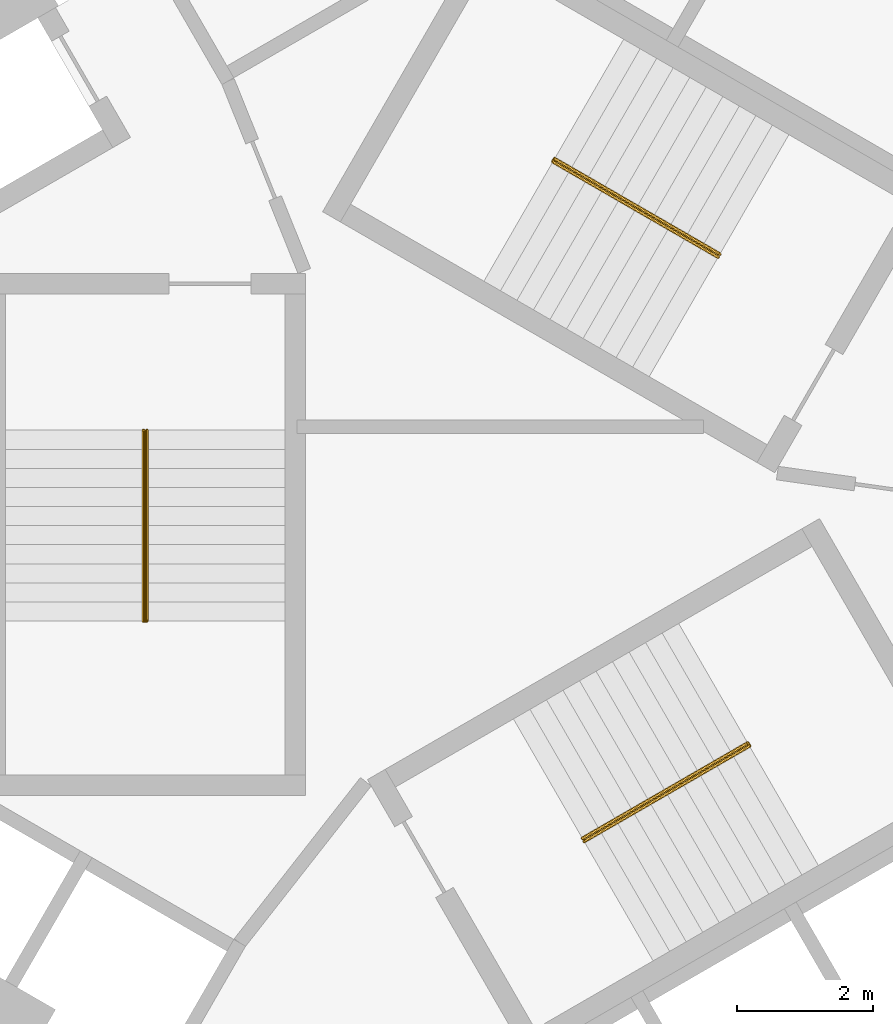
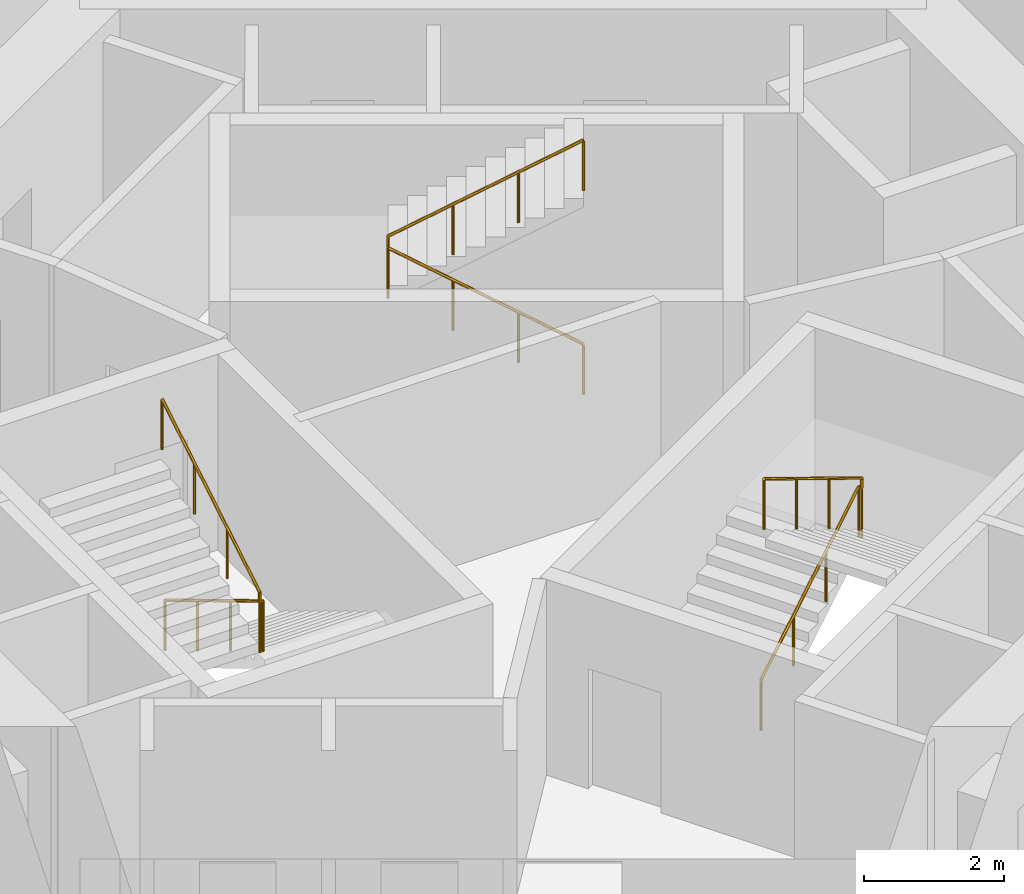
# One storey, part 11 of 11: 3 railings.
"""IFC4 building model written with IfcOpenShell, lengths in metres."""

import ifcopenshell
import ifcopenshell.guid

model = None  # the IFC model being written
_history = None  # IfcOwnerHistory: only IFC2X3 demands one
_inside = {}  # id of a spatial element -> (the spatial element, [elements in it])
_under = {}  # id of a project, library or spatial element -> (it, [spatial elements below it])
_declared = {}  # id of a project -> (the project, [libraries it declares])
_typed = {}  # id of a type object -> (the type object, [elements of that type])
_made_of = {}  # id of a material, layer set ... -> (it, [elements and type objects made of it])


def new_model(schema):
    """Start an empty IFC model of exactly this schema.

    Asked for "IFC4X3", IfcOpenShell would pick the latest addendum, in which some entities
    have other attributes; the version numbers below select the first issue.
    IFC2X3 requires an IfcOwnerHistory on every rooted entity: one is made here for all.
    """
    global model, _history
    if schema == "IFC4X3":
        model = ifcopenshell.file(schema_version=(4, 3, 0, 0))
    else:
        model = ifcopenshell.file(schema=schema)
    _inside.clear()
    _under.clear()
    _declared.clear()
    _typed.clear()
    _made_of.clear()
    _history = None
    if model.schema == "IFC2X3":
        org = make("IfcOrganization", Name="unknown")
        user = make(
            "IfcPersonAndOrganization",
            ThePerson=make("IfcPerson", FamilyName="unknown"),
            TheOrganization=org,
        )
        app = make(
            "IfcApplication",
            ApplicationDeveloper=org,
            Version="unknown",
            ApplicationFullName="unknown",
            ApplicationIdentifier="unknown",
        )
        _history = make(
            "IfcOwnerHistory",
            OwningUser=user,
            OwningApplication=app,
            ChangeAction="ADDED",
            CreationDate=0,
        )
    return model


def make(cls, **values):
    """One entity of the class cls with the attributes given. An attribute that is None is left unset."""
    return model.create_entity(
        cls, **{name: value for name, value in values.items() if value is not None}
    )


def rooted(cls, **values):
    """An entity with a GlobalId (a new one), such as an element, a storey or a relation."""
    return make(cls, GlobalId=ifcopenshell.guid.new(), OwnerHistory=_history, **values)


def si_unit(unit_type, name, prefix=None):
    """IfcSIUnit, for example si_unit("LENGTHUNIT", "METRE", prefix="MILLI")."""
    return make("IfcSIUnit", UnitType=unit_type, Prefix=prefix, Name=name)


def assignment(units):
    """IfcUnitAssignment: the units of a project."""
    return None if units is None else make("IfcUnitAssignment", Units=units)


def point(xyz):
    """IfcCartesianPoint."""
    return None if xyz is None else make("IfcCartesianPoint", Coordinates=xyz)


def direction(xyz):
    """IfcDirection."""
    return None if xyz is None else make("IfcDirection", DirectionRatios=xyz)


def frame(location, z_axis=None, x_axis=None):
    """IfcAxis2Placement3D, a coordinate frame: its origin and axes. An axis left out is left unset."""
    return make(
        "IfcAxis2Placement3D",
        Location=point(location),
        Axis=direction(z_axis),
        RefDirection=direction(x_axis),
    )


def frame_2d(location, x_axis=None):
    """IfcAxis2Placement2D, a coordinate frame in the plane: its origin and x axis."""
    return make(
        "IfcAxis2Placement2D", Location=point(location), RefDirection=direction(x_axis)
    )


def origin():
    """The frame at (0, 0, 0) with its axes left unset."""
    return frame((0.0, 0.0, 0.0))


def origin_2d():
    """The frame at (0, 0) in the plane with its x axis left unset."""
    return frame_2d((0.0, 0.0))


def place(relative_to, where):
    """IfcLocalPlacement: puts the frame where relative to a parent placement (None: the world)."""
    return make(
        "IfcLocalPlacement", PlacementRelTo=relative_to, RelativePlacement=where
    )


def context(
    kind, dimensions, precision=None, world=None, true_north=None, identifier=None
):
    """IfcGeometricRepresentationContext, for example the 3D "Model" context."""
    return make(
        "IfcGeometricRepresentationContext",
        ContextIdentifier=identifier,
        ContextType=kind,
        CoordinateSpaceDimension=dimensions,
        Precision=precision,
        WorldCoordinateSystem=world,
        TrueNorth=true_north,
    )


def subcontext(parent, identifier, kind, view, scale=None):
    """IfcGeometricRepresentationSubContext, for example "Body" below "Model"."""
    return make(
        "IfcGeometricRepresentationSubContext",
        ContextIdentifier=identifier,
        ContextType=kind,
        ParentContext=parent,
        TargetScale=scale,
        TargetView=view,
    )


def project(units=None, contexts=None):
    """IfcProject with its units and contexts."""
    return rooted(
        "IfcProject",
        Name="project",
        RepresentationContexts=contexts,
        UnitsInContext=assignment(units),
    )


def spatial(cls, under=None, at=None, **own):
    """A site, building, storey or space (cls), placed at a placement, below another one or the project."""
    s = rooted(cls, ObjectPlacement=at, **own)
    if under is not None:
        _under.setdefault(under.id(), (under, []))[1].append(s)
    return s


def profile(cls, at=None, kind="AREA", **sizes):
    """A parametric profile (cls). Its sizes go by their IFC names, for example OverallWidth=200.0."""
    return make(cls, ProfileType=kind, Position=at, **sizes)


def circle(**sizes):
    """IfcCircleProfileDef."""
    return profile("IfcCircleProfileDef", **sizes)


def extrude(swept, where, along, depth):
    """IfcExtrudedAreaSolid: the profile swept, set in the frame where, extruded along a direction by depth."""
    return make(
        "IfcExtrudedAreaSolid",
        SweptArea=swept,
        Position=where,
        ExtrudedDirection=direction(along),
        Depth=depth,
    )


def shape(context_of_items, identifier, shape_type, items):
    """IfcShapeRepresentation: the items that make up one representation, for example the "Body"."""
    return make(
        "IfcShapeRepresentation",
        ContextOfItems=context_of_items,
        RepresentationIdentifier=identifier,
        RepresentationType=shape_type,
        Items=items,
    )


def material(Name=None, Category=None):
    """IfcMaterial."""
    return make("IfcMaterial", Name=Name, Category=Category)


def made_of(thing, what):
    """Note that an element or type object is made of a material, layer set ...; save() writes the relation."""
    if what is not None:
        _made_of.setdefault(what.id(), (what, []))[1].append(thing)
    return thing


def type_object(cls, material=None, **own):
    """A type object (cls), such as IfcWallType, which elements share."""
    return made_of(rooted(cls, **own), material)


def element(
    cls,
    number,
    at=None,
    inside=None,
    cuts=None,
    type_object=None,
    material=None,
    context=None,
    identifier="Body",
    shape_type=None,
    held_by="IfcProductDefinitionShape",
    body=None,
    shapes=None,
    **own,
):
    """One element of the class cls, such as IfcWall. Its Tag is "e" and its number.

    at: its placement. inside: the storey or other place that contains it. cuts: it is an
    opening in that element (IfcRelVoidsElement). A single representation is given by context,
    identifier, shape_type and body (its items); several are given by shapes. held_by: the class
    of the entity that holds the representations. save() writes the other relations.
    """
    e = rooted(cls, Tag="e%d" % number, ObjectPlacement=at, **own)
    if body is not None:
        shapes = [shape(context, identifier, shape_type, body)]
    if shapes is not None:
        e.Representation = make(held_by, Representations=shapes)
    if inside is not None:
        _inside.setdefault(inside.id(), (inside, []))[1].append(e)
    if cuts is not None:
        rooted(
            "IfcRelVoidsElement", RelatingBuildingElement=cuts, RelatedOpeningElement=e
        )
    if type_object is not None:
        _typed.setdefault(type_object.id(), (type_object, []))[1].append(e)
    return made_of(e, material)


def aggregate(whole, parts):
    """IfcRelAggregates: a whole, such as a stair, and the parts it consists of."""
    return rooted("IfcRelAggregates", RelatingObject=whole, RelatedObjects=parts)


def save(model, path):
    """Write the relations noted so far, then the file.

    IfcRelAggregates (storeys below a building ...), IfcRelContainedInSpatialStructure (elements
    in a storey), IfcRelDefinesByType, IfcRelAssociatesMaterial and IfcRelDeclares: one each for
    every whole, place, type object, material and project.
    """
    for whole, parts in _under.values():
        aggregate(whole, parts)
    for where, things in _inside.values():
        rooted(
            "IfcRelContainedInSpatialStructure",
            RelatedElements=things,
            RelatingStructure=where,
        )
    for kind, things in _typed.values():
        rooted("IfcRelDefinesByType", RelatedObjects=things, RelatingType=kind)
    for what, things in _made_of.values():
        rooted("IfcRelAssociatesMaterial", RelatedObjects=things, RelatingMaterial=what)
    for by, libraries in _declared.values():
        rooted("IfcRelDeclares", RelatingContext=by, RelatedDefinitions=libraries)
    model.write(path)


model = new_model("IFC4")

# Units and contexts
model_context = context("Model", 3, precision=1e-05, world=origin(), true_north=direction((0.0, 1.0)))
body_context = subcontext(model_context, "Body", "Model", "MODEL_VIEW")
ifc_project = project(units=[si_unit("LENGTHUNIT", "METRE"), si_unit("AREAUNIT", "SQUARE_METRE"), si_unit("VOLUMEUNIT", "CUBIC_METRE"), si_unit("PLANEANGLEUNIT", "RADIAN"), si_unit("MASSUNIT", "GRAM", prefix="KILO")], contexts=[model_context])

# Site, building, storey
site_placement = place(None, origin())
site = spatial("IfcSite", under=ifc_project, at=site_placement, CompositionType="ELEMENT")
building_placement = place(site_placement, origin())
building = spatial("IfcBuilding", under=site, at=building_placement, Name="Vanh Sen Convention Tower", CompositionType="ELEMENT")
storey_placement = place(building_placement, frame((0.0, 0.0, 176.199951171875)))
storey = spatial("IfcBuildingStorey", under=building, at=storey_placement, Name="L43", CompositionType="ELEMENT", Elevation=176.199951171875)

# Railings
ifc_material = material(Name="Stainless steel handrail", Category="steel")
railing_type = type_object("IfcRailingType", Name="Stair handrail 900", PredefinedType="HANDRAIL", material=ifc_material)
railing_1_placement = place(storey_placement, frame((3.45849609375, 3.690185546875, 0.168212890625)))
element("IfcRailing", 1, at=railing_1_placement, inside=storey, type_object=railing_type, Name="Stair handrail ST1 L43", PredefinedType="HANDRAIL", context=body_context, shape_type="SweptSolid", body=[
    extrude(circle(Radius=0.02392578125, at=origin_2d()), frame((0.0, 0.0, 0.8759765625), z_axis=(-0.742390482028, 0.42860119049, 0.514934356695), x_axis=(-0.49998411664, -0.866034573852, 0.0)), (0.0, 0.0, 1.0), 3.26611328125),
    extrude(circle(Radius=0.02392578125, at=origin_2d()), frame((-2.4248046875, 1.39990234375, 2.5576171875), z_axis=(0.497188445666, 0.867642581652, 0.0), x_axis=(-0.867642581652, 0.497188445666, 0.0)), (0.0, 0.0, 1.0), 0.050048828125),
    extrude(circle(Radius=0.02392578125, at=origin_2d()), frame((-2.39990234375, 1.443359375, 2.5576171875), z_axis=(0.0, 0.0, 1.0), x_axis=(1.0, 0.0, 0.0)), (0.0, 0.0, 1.0), 0.168212890625),
    extrude(circle(Radius=0.02392578125, at=origin_2d()), frame((-2.39990234375, 1.443359375, 2.72607421875), z_axis=(0.742395268701, -0.428678701772, 0.514862928999), x_axis=(0.500049511043, 0.865996816683, 0.0)), (0.0, 0.0, 1.0), 3.26611328125),
    extrude(circle(Radius=0.02099609375, at=origin_2d()), origin(), (0.0, 0.0, 1.0), 0.851806640625),
    extrude(circle(Radius=0.02099609375, at=origin_2d()), frame((-0.808349609375, 0.466552734375, 0.560546875)), (0.0, 0.0, 1.0), 0.851806640625),
    extrude(circle(Radius=0.02099609375, at=origin_2d()), frame((-1.616455078125, 0.933349609375, 1.121337890625)), (0.0, 0.0, 1.0), 0.851806640625),
    extrude(circle(Radius=0.02099609375, at=origin_2d()), frame((-2.4248046875, 1.39990234375, 1.681884765625)), (0.0, 0.0, 1.0), 0.851806640625),
    extrude(circle(Radius=0.02099609375, at=origin_2d()), frame((-2.39990234375, 1.443359375, 1.681884765625)), (0.0, 0.0, 1.0), 0.851806640625),
    extrude(circle(Radius=0.02099609375, at=origin_2d()), frame((-2.39990234375, 1.443359375, 1.85009765625)), (0.0, 0.0, 1.0), 0.851806640625),
    extrude(circle(Radius=0.02099609375, at=origin_2d()), frame((-1.591552734375, 0.9765625, 2.41064453125)), (0.0, 0.0, 1.0), 0.851806640625),
    extrude(circle(Radius=0.02099609375, at=origin_2d()), frame((-0.783447265625, 0.510009765625, 2.97119140625)), (0.0, 0.0, 1.0), 0.851806640625),
    extrude(circle(Radius=0.02099609375, at=origin_2d()), frame((0.02490234375, 0.043212890625, 3.53173828125)), (0.0, 0.0, 1.0), 0.851806640625),
])
railing_2_placement = place(storey_placement, frame((-4.925048828125, 1.14990234375, 0.168212890625)))
element("IfcRailing", 2, at=railing_2_placement, inside=storey, type_object=railing_type, Name="Stair handrail ST2 L43", PredefinedType="HANDRAIL", context=body_context, shape_type="SweptSolid", body=[
    extrude(circle(Radius=0.02392578125, at=origin_2d()), frame((0.0, 0.0, 0.8759765625), z_axis=(0.0, -0.857222391501, 0.514946377315), x_axis=(1.0, 0.0, 0.0)), (0.0, 0.0, 1.0), 3.26611328125),
    extrude(circle(Radius=0.02392578125, at=origin_2d()), frame((0.0, -2.7998046875, 2.5576171875), z_axis=(-1.0, 0.0, 0.0), x_axis=(0.0, -1.0, 0.0)), (0.0, 0.0, 1.0), 0.050048828125),
    extrude(circle(Radius=0.02392578125, at=origin_2d()), frame((-0.050048828125, -2.7998046875, 2.5576171875), z_axis=(0.0, 0.0, 1.0), x_axis=(1.0, 0.0, 0.0)), (0.0, 0.0, 1.0), 0.168212890625),
    extrude(circle(Radius=0.02392578125, at=origin_2d()), frame((-0.050048828125, -2.7998046875, 2.72607421875), z_axis=(0.0, 0.857255387014, 0.514891446264), x_axis=(-1.0, 0.0, 0.0)), (0.0, 0.0, 1.0), 3.26611328125),
    extrude(circle(Radius=0.02099609375, at=origin_2d()), origin(), (0.0, 0.0, 1.0), 0.851806640625),
    extrude(circle(Radius=0.02099609375, at=origin_2d()), frame((0.0, -0.933349609375, 0.560546875)), (0.0, 0.0, 1.0), 0.851806640625),
    extrude(circle(Radius=0.02099609375, at=origin_2d()), frame((0.0, -1.866455078125, 1.121337890625)), (0.0, 0.0, 1.0), 0.851806640625),
    extrude(circle(Radius=0.02099609375, at=origin_2d()), frame((0.0, -2.7998046875, 1.681884765625)), (0.0, 0.0, 1.0), 0.851806640625),
    extrude(circle(Radius=0.02099609375, at=origin_2d()), frame((-0.050048828125, -2.7998046875, 1.681884765625)), (0.0, 0.0, 1.0), 0.851806640625),
    extrude(circle(Radius=0.02099609375, at=origin_2d()), frame((-0.050048828125, -2.7998046875, 1.85009765625)), (0.0, 0.0, 1.0), 0.851806640625),
    extrude(circle(Radius=0.02099609375, at=origin_2d()), frame((-0.050048828125, -1.866455078125, 2.41064453125)), (0.0, 0.0, 1.0), 0.851806640625),
    extrude(circle(Radius=0.02099609375, at=origin_2d()), frame((-0.050048828125, -0.933349609375, 2.97119140625)), (0.0, 0.0, 1.0), 0.851806640625),
    extrude(circle(Radius=0.02099609375, at=origin_2d()), frame((-0.050048828125, 0.0, 3.53173828125)), (0.0, 0.0, 1.0), 0.851806640625),
])
railing_3_placement = place(storey_placement, frame((1.466552734375, -4.840087890625, 0.168212890625)))
element("IfcRailing", 3, at=railing_3_placement, inside=storey, type_object=railing_type, Name="Stair handrail ST3 L43", PredefinedType="HANDRAIL", context=body_context, shape_type="SweptSolid", body=[
    extrude(circle(Radius=0.02392578125, at=origin_2d()), frame((0.0, 0.0, 0.8759765625), z_axis=(0.742390482028, 0.42860119049, 0.514934356695), x_axis=(-0.49998411664, 0.866034573852, 0.0)), (0.0, 0.0, 1.0), 3.26611328125),
    extrude(circle(Radius=0.02392578125, at=origin_2d()), frame((2.4248046875, 1.39990234375, 2.5576171875), z_axis=(0.502959906984, -0.86430974307, 0.0), x_axis=(0.86430974307, 0.502959906984, 0.0)), (0.0, 0.0, 1.0), 0.050048828125),
    extrude(circle(Radius=0.02392578125, at=origin_2d()), frame((2.449951171875, 1.356689453125, 2.5576171875), z_axis=(0.0, 0.0, 1.0), x_axis=(1.0, 0.0, 0.0)), (0.0, 0.0, 1.0), 0.168212890625),
    extrude(circle(Radius=0.02392578125, at=origin_2d()), frame((2.449951171875, 1.356689453125, 2.72607421875), z_axis=(-0.742395268701, -0.428678701772, 0.514862928999), x_axis=(0.500049511043, -0.865996816683, 0.0)), (0.0, 0.0, 1.0), 3.26611328125),
    extrude(circle(Radius=0.02099609375, at=origin_2d()), origin(), (0.0, 0.0, 1.0), 0.851806640625),
    extrude(circle(Radius=0.02099609375, at=origin_2d()), frame((0.808349609375, 0.466552734375, 0.560546875)), (0.0, 0.0, 1.0), 0.851806640625),
    extrude(circle(Radius=0.02099609375, at=origin_2d()), frame((1.616455078125, 0.933349609375, 1.121337890625)), (0.0, 0.0, 1.0), 0.851806640625),
    extrude(circle(Radius=0.02099609375, at=origin_2d()), frame((2.4248046875, 1.39990234375, 1.681884765625)), (0.0, 0.0, 1.0), 0.851806640625),
    extrude(circle(Radius=0.02099609375, at=origin_2d()), frame((2.449951171875, 1.356689453125, 1.681884765625)), (0.0, 0.0, 1.0), 0.851806640625),
    extrude(circle(Radius=0.02099609375, at=origin_2d()), frame((2.449951171875, 1.356689453125, 1.85009765625)), (0.0, 0.0, 1.0), 0.851806640625),
    extrude(circle(Radius=0.02099609375, at=origin_2d()), frame((1.6416015625, 0.889892578125, 2.41064453125)), (0.0, 0.0, 1.0), 0.851806640625),
    extrude(circle(Radius=0.02099609375, at=origin_2d()), frame((0.83349609375, 0.42333984375, 2.97119140625)), (0.0, 0.0, 1.0), 0.851806640625),
    extrude(circle(Radius=0.02099609375, at=origin_2d()), frame((0.025146484375, -0.04345703125, 3.53173828125)), (0.0, 0.0, 1.0), 0.851806640625),
])

save(model, "model.ifc")
